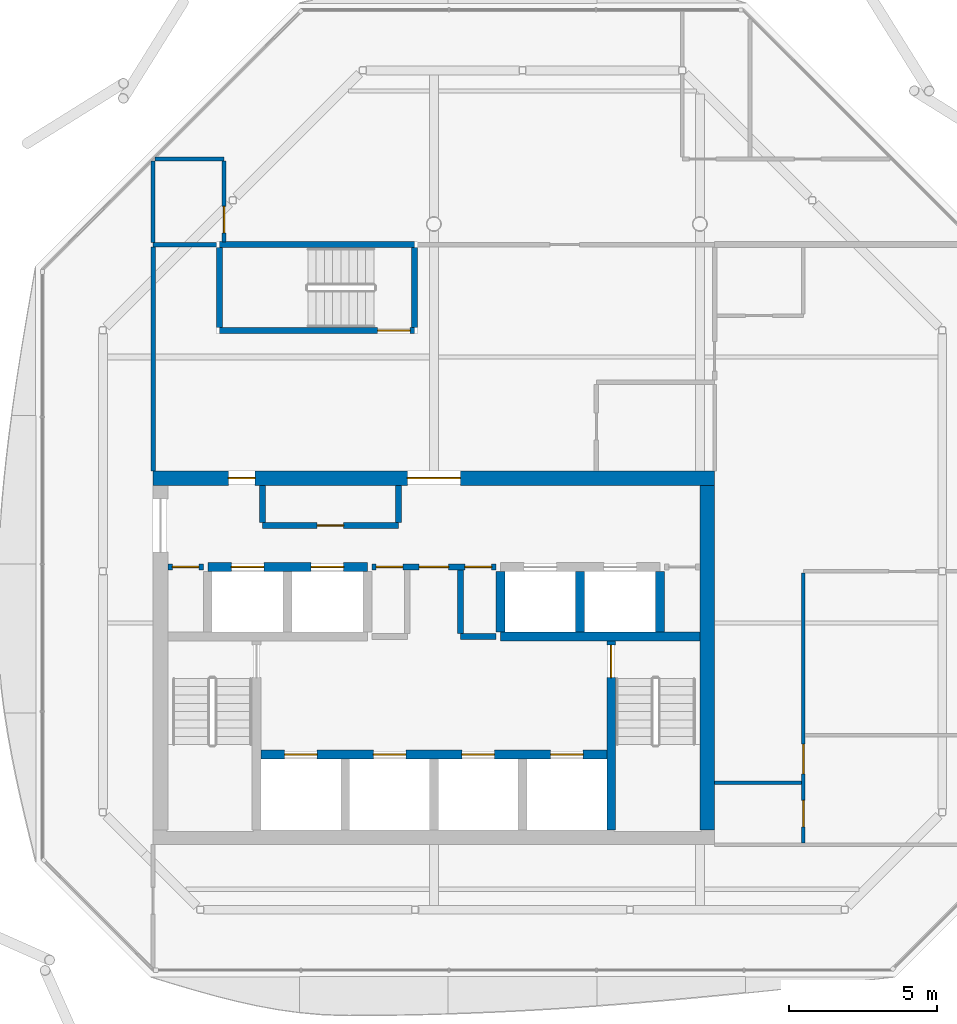
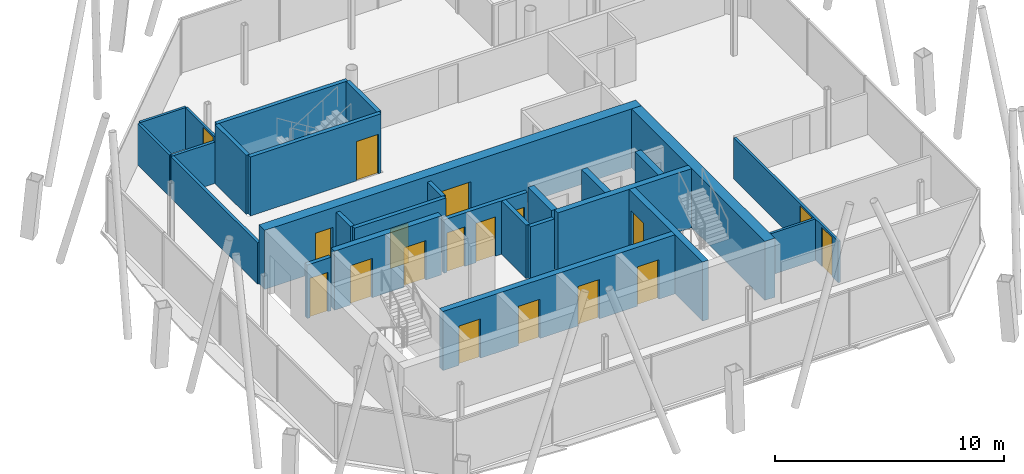
# One storey, part 10 of 14: 27 walls, 18 doors, 18 openings.
"""IFC4 building model written with IfcOpenShell, lengths in metres."""

from ifc_helpers import new_model, si_unit, direction, frame, frame_2d, origin, place, context, subcontext, project, spatial, rectangle, extrude, material, layer, layer_set, type_object, element, fill, save


model = new_model("IFC4")

# Units and contexts
model_context = context("Model", 3, precision=1e-05, world=origin(), true_north=direction((0.0, 1.0)))
body_context = subcontext(model_context, "Body", "Model", "MODEL_VIEW")
ifc_project = project(units=[si_unit("LENGTHUNIT", "METRE"), si_unit("AREAUNIT", "SQUARE_METRE"), si_unit("VOLUMEUNIT", "CUBIC_METRE"), si_unit("PLANEANGLEUNIT", "RADIAN"), si_unit("MASSUNIT", "GRAM", prefix="KILO")], contexts=[model_context])

# Site, building, storey
site_placement = place(None, origin())
site = spatial("IfcSite", under=ifc_project, at=site_placement, CompositionType="ELEMENT")
building_placement = place(site_placement, origin())
building = spatial("IfcBuilding", under=site, at=building_placement, Name="Tskaro Facet Tower", CompositionType="ELEMENT")
storey_placement = place(building_placement, frame((0.0, 0.0, 268.949951171875)))
storey = spatial("IfcBuildingStorey", under=building, at=storey_placement, Name="L71", CompositionType="ELEMENT", Elevation=268.949951171875)

# Wall, openings, doors
ifc_material_1 = material(Name="Concrete C60/75", Category="concrete")
ifc_layer_1 = layer(ifc_material_1, 0.300048828125, Name="Concrete C60/75")
ifc_layer_set_1 = layer_set([ifc_layer_1], Name="Concrete C60/75")
wall_type_1 = type_object("IfcWallType", Name="CORE-SHAFT", PredefinedType="SHEAR", material=ifc_layer_set_1)
wall_1_placement = place(storey_placement, frame((-5.85009765625, -8.949951171875, 0.0), z_axis=(0.0, 0.0, 1.0), x_axis=(1.0, 0.0, 0.0)))
wall_1 = element("IfcWall", 1, at=wall_1_placement, inside=storey, type_object=wall_type_1, Name="Shaft wall W003", PredefinedType="SHEAR", context=body_context, shape_type="SweptSolid", body=[
    extrude(rectangle(XDim=11.7001953125, YDim=0.300048828125, at=frame_2d((5.85009765625, 0.0))), origin(), (0.0, 0.0, 1.0), 3.150146484375),
])
opening_1_placement = place(wall_1_placement, frame((0.800048828125, 0.0, 0.0)))
opening_1 = element("IfcOpeningElement", 2, at=opening_1_placement, cuts=wall_1, Name="Opening LD-FF1", PredefinedType="OPENING", context=body_context, shape_type="SweptSolid", body=[
    extrude(rectangle(XDim=1.10009765625, YDim=2.10009765625, at=frame_2d((0.550048828125, 1.050048828125))), frame((0.0, 0.159912109375, 0.0), z_axis=(0.0, -1.0, 0.0), x_axis=(1.0, 0.0, 0.0)), (0.0, 0.0, 1.0), 0.320068359375),
])
opening_2_placement = place(wall_1_placement, frame((3.800048828125, 0.0, 0.0)))
opening_2 = element("IfcOpeningElement", 3, at=opening_2_placement, cuts=wall_1, Name="Opening LD-FF2", PredefinedType="OPENING", context=body_context, shape_type="SweptSolid", body=[
    extrude(rectangle(XDim=1.10009765625, YDim=2.10009765625, at=frame_2d((0.550048828125, 1.050048828125))), frame((0.0, 0.159912109375, 0.0), z_axis=(0.0, -1.0, 0.0), x_axis=(1.0, 0.0, 0.0)), (0.0, 0.0, 1.0), 0.320068359375),
])
opening_3_placement = place(wall_1_placement, frame((6.800048828125, 0.0, 0.0)))
opening_3 = element("IfcOpeningElement", 4, at=opening_3_placement, cuts=wall_1, Name="Opening LD-SV1", PredefinedType="OPENING", context=body_context, shape_type="SweptSolid", body=[
    extrude(rectangle(XDim=1.10009765625, YDim=2.10009765625, at=frame_2d((0.550048828125, 1.050048828125))), frame((0.0, 0.159912109375, 0.0), z_axis=(0.0, -1.0, 0.0), x_axis=(1.0, 0.0, 0.0)), (0.0, 0.0, 1.0), 0.320068359375),
])
opening_4_placement = place(wall_1_placement, frame((9.800048828125, 0.0, 0.0)))
opening_4 = element("IfcOpeningElement", 5, at=opening_4_placement, cuts=wall_1, Name="Opening LD-SV2", PredefinedType="OPENING", context=body_context, shape_type="SweptSolid", body=[
    extrude(rectangle(XDim=1.10009765625, YDim=2.10009765625, at=frame_2d((0.550048828125, 1.050048828125))), frame((0.0, 0.159912109375, 0.0), z_axis=(0.0, -1.0, 0.0), x_axis=(1.0, 0.0, 0.0)), (0.0, 0.0, 1.0), 0.320068359375),
])
ifc_material_2 = material(Name="Stainless steel", Category="steel")
door_type_1 = type_object("IfcDoorType", Name="D-LANDING", OperationType="NOTDEFINED", PredefinedType="DOOR", material=ifc_material_2)
door_1_placement = place(opening_1_placement, origin())
door_1 = element("IfcDoor", 6, at=door_1_placement, inside=storey, type_object=door_type_1, Name="Landing door FF1", OperationType="DOUBLE_DOOR_SLIDING", OverallHeight=2.10009765625, OverallWidth=1.10009765625, PredefinedType="DOOR", context=body_context, shape_type="SweptSolid", body=[
    extrude(rectangle(XDim=1.10009765625, YDim=2.10009765625, at=frame_2d((0.550048828125, 1.050048828125))), frame((0.0, 0.02490234375, 0.0), z_axis=(0.0, -1.0, 0.0), x_axis=(1.0, 0.0, 0.0)), (0.0, 0.0, 1.0), 0.050048828125),
])
fill(opening_1, door_1)
door_2_placement = place(opening_2_placement, origin())
door_2 = element("IfcDoor", 7, at=door_2_placement, inside=storey, type_object=door_type_1, Name="Landing door FF2", OperationType="DOUBLE_DOOR_SLIDING", OverallHeight=2.10009765625, OverallWidth=1.10009765625, PredefinedType="DOOR", context=body_context, shape_type="SweptSolid", body=[
    extrude(rectangle(XDim=1.10009765625, YDim=2.10009765625, at=frame_2d((0.550048828125, 1.050048828125))), frame((0.0, 0.02490234375, 0.0), z_axis=(0.0, -1.0, 0.0), x_axis=(1.0, 0.0, 0.0)), (0.0, 0.0, 1.0), 0.050048828125),
])
fill(opening_2, door_2)
door_3_placement = place(opening_3_placement, origin())
door_3 = element("IfcDoor", 8, at=door_3_placement, inside=storey, type_object=door_type_1, Name="Landing door SV1", OperationType="DOUBLE_DOOR_SLIDING", OverallHeight=2.10009765625, OverallWidth=1.10009765625, PredefinedType="DOOR", context=body_context, shape_type="SweptSolid", body=[
    extrude(rectangle(XDim=1.10009765625, YDim=2.10009765625, at=frame_2d((0.550048828125, 1.050048828125))), frame((0.0, 0.02490234375, 0.0), z_axis=(0.0, -1.0, 0.0), x_axis=(1.0, 0.0, 0.0)), (0.0, 0.0, 1.0), 0.050048828125),
])
fill(opening_3, door_3)
door_4_placement = place(opening_4_placement, origin())
door_4 = element("IfcDoor", 9, at=door_4_placement, inside=storey, type_object=door_type_1, Name="Landing door SV2", OperationType="DOUBLE_DOOR_SLIDING", OverallHeight=2.10009765625, OverallWidth=1.10009765625, PredefinedType="DOOR", context=body_context, shape_type="SweptSolid", body=[
    extrude(rectangle(XDim=1.10009765625, YDim=2.10009765625, at=frame_2d((0.550048828125, 1.050048828125))), frame((0.0, 0.02490234375, 0.0), z_axis=(0.0, -1.0, 0.0), x_axis=(1.0, 0.0, 0.0)), (0.0, 0.0, 1.0), 0.050048828125),
])
fill(opening_4, door_4)

# Wall
wall_2_placement = place(storey_placement, frame((2.25, -4.949951171875, 0.0), z_axis=(0.0, 0.0, 1.0), x_axis=(1.0, 0.0, 0.0)))
element("IfcWall", 10, at=wall_2_placement, inside=storey, type_object=wall_type_1, Name="Shaft wall W008", PredefinedType="SHEAR", context=body_context, shape_type="SweptSolid", body=[
    extrude(rectangle(XDim=6.75, YDim=0.300048828125, at=frame_2d((3.375, 0.0))), origin(), (0.0, 0.0, 1.0), 3.150146484375),
])

# Wall, openings, doors
wall_3_placement = place(storey_placement, frame((-7.64990234375, -2.60009765625, 0.0), z_axis=(0.0, 0.0, 1.0), x_axis=(1.0, 0.0, 0.0)))
wall_3 = element("IfcWall", 11, at=wall_3_placement, inside=storey, type_object=wall_type_1, Name="Shaft wall W012", PredefinedType="SHEAR", context=body_context, shape_type="SweptSolid", body=[
    extrude(rectangle(XDim=5.39990234375, YDim=0.300048828125, at=frame_2d((2.699951171875, 0.0))), origin(), (0.0, 0.0, 1.0), 3.150146484375),
])
opening_5_placement = place(wall_3_placement, frame((0.800048828125, 0.0, 0.0)))
opening_5 = element("IfcOpeningElement", 12, at=opening_5_placement, cuts=wall_3, Name="Opening LD-HB1", PredefinedType="OPENING", context=body_context, shape_type="SweptSolid", body=[
    extrude(rectangle(XDim=1.10009765625, YDim=2.10009765625, at=frame_2d((0.550048828125, 1.050048828125))), frame((0.0, 0.159912109375, 0.0), z_axis=(0.0, -1.0, 0.0), x_axis=(1.0, 0.0, 0.0)), (0.0, 0.0, 1.0), 0.320068359375),
])
opening_6_placement = place(wall_3_placement, frame((3.5, 0.0, 0.0)))
opening_6 = element("IfcOpeningElement", 13, at=opening_6_placement, cuts=wall_3, Name="Opening LD-HB2", PredefinedType="OPENING", context=body_context, shape_type="SweptSolid", body=[
    extrude(rectangle(XDim=1.10009765625, YDim=2.10009765625, at=frame_2d((0.550048828125, 1.050048828125))), frame((0.0, 0.159912109375, 0.0), z_axis=(0.0, -1.0, 0.0), x_axis=(1.0, 0.0, 0.0)), (0.0, 0.0, 1.0), 0.320068359375),
])
door_5_placement = place(opening_5_placement, origin())
door_5 = element("IfcDoor", 14, at=door_5_placement, inside=storey, type_object=door_type_1, Name="Landing door HB1", OperationType="DOUBLE_DOOR_SLIDING", OverallHeight=2.10009765625, OverallWidth=1.10009765625, PredefinedType="DOOR", context=body_context, shape_type="SweptSolid", body=[
    extrude(rectangle(XDim=1.10009765625, YDim=2.10009765625, at=frame_2d((0.550048828125, 1.050048828125))), frame((0.0, 0.02490234375, 0.0), z_axis=(0.0, -1.0, 0.0), x_axis=(1.0, 0.0, 0.0)), (0.0, 0.0, 1.0), 0.050048828125),
])
fill(opening_5, door_5)
door_6_placement = place(opening_6_placement, origin())
door_6 = element("IfcDoor", 15, at=door_6_placement, inside=storey, type_object=door_type_1, Name="Landing door HB2", OperationType="DOUBLE_DOOR_SLIDING", OverallHeight=2.10009765625, OverallWidth=1.10009765625, PredefinedType="DOOR", context=body_context, shape_type="SweptSolid", body=[
    extrude(rectangle(XDim=1.10009765625, YDim=2.10009765625, at=frame_2d((0.550048828125, 1.050048828125))), frame((0.0, 0.02490234375, 0.0), z_axis=(0.0, -1.0, 0.0), x_axis=(1.0, 0.0, 0.0)), (0.0, 0.0, 1.0), 0.050048828125),
])
fill(opening_6, door_6)

# Walls
for number, where, z_axis, x_axis, name in (
    (16, (2.25, -4.800048828125, 0.0), (0.0, 0.0, 1.0), (0.0, 1.0, 0.0), "Shaft wall W042"),
    (17, (4.949951171875, -4.800048828125, 0.0), (0.0, 0.0, 1.0), (0.0, 1.0, 0.0), "Shaft wall W044"),
):
    element("IfcWall", number, at=place(storey_placement, frame(where, z_axis=z_axis, x_axis=x_axis)), inside=storey, type_object=wall_type_1, Name=name, PredefinedType="SHEAR", context=body_context, shape_type="SweptSolid", body=[
        extrude(rectangle(XDim=2.050048828125, YDim=0.300048828125, at=frame_2d((1.02490234375, 0.0))), origin(), (0.0, 0.0, 1.0), 3.150146484375),
    ])

# Wall, opening, door
wall_4_placement = place(storey_placement, frame((6.0, -5.10009765625, 0.0), z_axis=(0.0, 0.0, 1.0), x_axis=(0.0, -1.0, 0.0)))
wall_4 = element("IfcWall", 18, at=wall_4_placement, inside=storey, type_object=wall_type_1, Name="Shaft wall W046", PredefinedType="SHEAR", context=body_context, shape_type="SweptSolid", body=[
    extrude(rectangle(XDim=6.39990234375, YDim=0.300048828125, at=frame_2d((3.199951171875, 0.0))), origin(), (0.0, 0.0, 1.0), 3.150146484375),
])
opening_7_placement = place(wall_4_placement, frame((0.14990234375, 0.0, 0.0)))
opening_7 = element("IfcOpeningElement", 19, at=opening_7_placement, cuts=wall_4, Name="Opening ST-2-D1", PredefinedType="OPENING", context=body_context, shape_type="SweptSolid", body=[
    extrude(rectangle(XDim=1.10009765625, YDim=2.10009765625, at=frame_2d((0.550048828125, 1.050048828125))), frame((0.0, 0.159912109375, 0.0), z_axis=(0.0, -1.0, 0.0), x_axis=(1.0, 0.0, 0.0)), (0.0, 0.0, 1.0), 0.320068359375),
])
ifc_material_3 = material(Name="Steel", Category="steel")
door_type_2 = type_object("IfcDoorType", Name="D-STAIR", OperationType="NOTDEFINED", PredefinedType="DOOR", material=ifc_material_3)
door_7_placement = place(opening_7_placement, origin())
door_7 = element("IfcDoor", 20, at=door_7_placement, inside=storey, type_object=door_type_2, Name="Stair door 2", OperationType="SINGLE_SWING_RIGHT", OverallHeight=2.10009765625, OverallWidth=1.10009765625, PredefinedType="DOOR", context=body_context, shape_type="SweptSolid", body=[
    extrude(rectangle(XDim=1.10009765625, YDim=2.10009765625, at=frame_2d((0.550048828125, 1.050048828125))), frame((0.0, 0.02490234375, 0.0), z_axis=(0.0, -1.0, 0.0), x_axis=(1.0, 0.0, 0.0)), (0.0, 0.0, 1.0), 0.050048828125),
])
fill(opening_7, door_7)

# Walls
wall_5_placement = place(storey_placement, frame((7.64990234375, -4.800048828125, 0.0), z_axis=(0.0, 0.0, 1.0), x_axis=(0.0, 1.0, 0.0)))
element("IfcWall", 21, at=wall_5_placement, inside=storey, type_object=wall_type_1, Name="Shaft wall W047", PredefinedType="SHEAR", context=body_context, shape_type="SweptSolid", body=[
    extrude(rectangle(XDim=2.050048828125, YDim=0.300048828125, at=frame_2d((1.02490234375, 0.0))), origin(), (0.0, 0.0, 1.0), 3.150146484375),
])
ifc_material_4 = material(Name="Concrete C20/25", Category="concrete")
ifc_layer_2 = layer(ifc_material_4, 0.199951171875, Name="Concrete C20/25")
ifc_layer_set_2 = layer_set([ifc_layer_2], Name="Concrete C20/25")
wall_type_2 = type_object("IfcWallType", Name="CORE-WALL", PredefinedType="SOLIDWALL", material=ifc_layer_set_2)
wall_6_placement = place(storey_placement, frame((0.89990234375, -4.949951171875, 0.0), z_axis=(0.0, 0.0, 1.0), x_axis=(1.0, 0.0, 0.0)))
element("IfcWall", 22, at=wall_6_placement, inside=storey, type_object=wall_type_2, Name="Core room wall W007", PredefinedType="SOLIDWALL", context=body_context, shape_type="SweptSolid", body=[
    extrude(rectangle(XDim=1.2001953125, YDim=0.199951171875, at=frame_2d((0.60009765625, 0.0))), origin(), (0.0, 0.0, 1.0), 2.85009765625),
])

# Wall, opening, door
wall_7_placement = place(storey_placement, frame((-7.800048828125, -2.60009765625, 0.0), z_axis=(0.0, 0.0, 1.0), x_axis=(-1.0, 0.0, 0.0)))
wall_7 = element("IfcWall", 23, at=wall_7_placement, inside=storey, type_object=wall_type_2, Name="Core room wall W011", PredefinedType="SOLIDWALL", context=body_context, shape_type="SweptSolid", body=[
    extrude(rectangle(XDim=1.199951171875, YDim=0.199951171875, at=frame_2d((0.60009765625, 0.0))), origin(), (0.0, 0.0, 1.0), 2.85009765625),
])
opening_8_placement = place(wall_7_placement, frame((0.14990234375, 0.0, 0.0)))
opening_8 = element("IfcOpeningElement", 24, at=opening_8_placement, cuts=wall_7, Name="Opening T21-D05", PredefinedType="OPENING", context=body_context, shape_type="SweptSolid", body=[
    extrude(rectangle(XDim=0.89990234375, YDim=2.10009765625, at=frame_2d((0.449951171875, 1.050048828125))), frame((0.0, 0.10986328125, 0.0), z_axis=(0.0, -1.0, 0.0), x_axis=(1.0, 0.0, 0.0)), (0.0, 0.0, 1.0), 0.219970703125),
])
ifc_material_5 = material(Name="Timber", Category="wood")
door_type_3 = type_object("IfcDoorType", Name="D-ROOM", OperationType="NOTDEFINED", PredefinedType="DOOR", material=ifc_material_5)
door_8_placement = place(opening_8_placement, origin())
door_8 = element("IfcDoor", 25, at=door_8_placement, inside=storey, type_object=door_type_3, Name="Door T21-D05", OperationType="SINGLE_SWING_RIGHT", OverallHeight=2.10009765625, OverallWidth=0.89990234375, PredefinedType="DOOR", context=body_context, shape_type="SweptSolid", body=[
    extrude(rectangle(XDim=0.89990234375, YDim=2.10009765625, at=frame_2d((0.449951171875, 1.050048828125))), frame((0.0, 0.02490234375, 0.0), z_axis=(0.0, -1.0, 0.0), x_axis=(1.0, 0.0, 0.0)), (0.0, 0.0, 1.0), 0.050048828125),
])
fill(opening_8, door_8)

# Wall, openings, doors
wall_8_placement = place(storey_placement, frame((2.10009765625, -2.60009765625, 0.0), z_axis=(0.0, 0.0, 1.0), x_axis=(-1.0, 0.0, 0.0)))
wall_8 = element("IfcWall", 26, at=wall_8_placement, inside=storey, type_object=wall_type_2, Name="Core room wall W013", PredefinedType="SOLIDWALL", context=body_context, shape_type="SweptSolid", body=[
    extrude(rectangle(XDim=4.2001953125, YDim=0.199951171875, at=frame_2d((2.10009765625, 0.0))), origin(), (0.0, 0.0, 1.0), 2.85009765625),
])
opening_9_placement = place(wall_8_placement, frame((1.60009765625, 0.0, 0.0)))
opening_9 = element("IfcOpeningElement", 27, at=opening_9_placement, cuts=wall_8, Name="Opening FL-D1", PredefinedType="OPENING", context=body_context, shape_type="SweptSolid", body=[
    extrude(rectangle(XDim=1.0, YDim=2.10009765625, at=frame_2d((0.5, 1.050048828125))), frame((0.0, 0.10986328125, 0.0), z_axis=(0.0, -1.0, 0.0), x_axis=(1.0, 0.0, 0.0)), (0.0, 0.0, 1.0), 0.219970703125),
])
opening_10_placement = place(wall_8_placement, frame((3.14990234375, 0.0, 0.0)))
opening_10 = element("IfcOpeningElement", 28, at=opening_10_placement, cuts=wall_8, Name="Opening T21-D06", PredefinedType="OPENING", context=body_context, shape_type="SweptSolid", body=[
    extrude(rectangle(XDim=0.89990234375, YDim=2.10009765625, at=frame_2d((0.449951171875, 1.050048828125))), frame((0.0, 0.10986328125, 0.0), z_axis=(0.0, -1.0, 0.0), x_axis=(1.0, 0.0, 0.0)), (0.0, 0.0, 1.0), 0.219970703125),
])
opening_11_placement = place(wall_8_placement, frame((0.14990234375, 0.0, 0.0)))
opening_11 = element("IfcOpeningElement", 29, at=opening_11_placement, cuts=wall_8, Name="Opening T21-D07", PredefinedType="OPENING", context=body_context, shape_type="SweptSolid", body=[
    extrude(rectangle(XDim=0.89990234375, YDim=2.10009765625, at=frame_2d((0.449951171875, 1.050048828125))), frame((0.0, 0.10986328125, 0.0), z_axis=(0.0, -1.0, 0.0), x_axis=(1.0, 0.0, 0.0)), (0.0, 0.0, 1.0), 0.219970703125),
])
door_type_4 = type_object("IfcDoorType", Name="D-LOBBY", OperationType="NOTDEFINED", PredefinedType="DOOR", material=ifc_material_3)
door_9_placement = place(opening_9_placement, origin())
door_9 = element("IfcDoor", 30, at=door_9_placement, inside=storey, type_object=door_type_4, Name="Lobby door FL", OperationType="SINGLE_SWING_RIGHT", OverallHeight=2.10009765625, OverallWidth=1.0, PredefinedType="DOOR", context=body_context, shape_type="SweptSolid", body=[
    extrude(rectangle(XDim=1.0, YDim=2.10009765625, at=frame_2d((0.5, 1.050048828125))), frame((0.0, 0.02490234375, 0.0), z_axis=(0.0, -1.0, 0.0), x_axis=(1.0, 0.0, 0.0)), (0.0, 0.0, 1.0), 0.050048828125),
])
fill(opening_9, door_9)
door_10_placement = place(opening_10_placement, origin())
door_10 = element("IfcDoor", 31, at=door_10_placement, inside=storey, type_object=door_type_3, Name="Door T21-D06", OperationType="SINGLE_SWING_RIGHT", OverallHeight=2.10009765625, OverallWidth=0.89990234375, PredefinedType="DOOR", context=body_context, shape_type="SweptSolid", body=[
    extrude(rectangle(XDim=0.89990234375, YDim=2.10009765625, at=frame_2d((0.449951171875, 1.050048828125))), frame((0.0, 0.02490234375, 0.0), z_axis=(0.0, -1.0, 0.0), x_axis=(1.0, 0.0, 0.0)), (0.0, 0.0, 1.0), 0.050048828125),
])
fill(opening_10, door_10)
door_11_placement = place(opening_11_placement, origin())
door_11 = element("IfcDoor", 32, at=door_11_placement, inside=storey, type_object=door_type_3, Name="Door T21-D07", OperationType="SINGLE_SWING_RIGHT", OverallHeight=2.10009765625, OverallWidth=0.89990234375, PredefinedType="DOOR", context=body_context, shape_type="SweptSolid", body=[
    extrude(rectangle(XDim=0.89990234375, YDim=2.10009765625, at=frame_2d((0.449951171875, 1.050048828125))), frame((0.0, 0.02490234375, 0.0), z_axis=(0.0, -1.0, 0.0), x_axis=(1.0, 0.0, 0.0)), (0.0, 0.0, 1.0), 0.050048828125),
])
fill(opening_11, door_11)

# Wall, opening, door
wall_9_placement = place(storey_placement, frame((-5.800048828125, -1.199951171875, 0.0), z_axis=(0.0, 0.0, 1.0), x_axis=(1.0, 0.0, 0.0)))
wall_9 = element("IfcWall", 33, at=wall_9_placement, inside=storey, type_object=wall_type_2, Name="Core room wall W016", PredefinedType="SOLIDWALL", context=body_context, shape_type="SweptSolid", body=[
    extrude(rectangle(XDim=4.60009765625, YDim=0.199951171875, at=frame_2d((2.300048828125, 0.0))), origin(), (0.0, 0.0, 1.0), 2.85009765625),
])
opening_12_placement = place(wall_9_placement, frame((1.85009765625, 0.0, 0.0)))
opening_12 = element("IfcOpeningElement", 34, at=opening_12_placement, cuts=wall_9, Name="Opening T21-D10", PredefinedType="OPENING", context=body_context, shape_type="SweptSolid", body=[
    extrude(rectangle(XDim=0.89990234375, YDim=2.10009765625, at=frame_2d((0.449951171875, 1.050048828125))), frame((0.0, 0.10986328125, 0.0), z_axis=(0.0, -1.0, 0.0), x_axis=(1.0, 0.0, 0.0)), (0.0, 0.0, 1.0), 0.219970703125),
])
door_12_placement = place(opening_12_placement, origin())
door_12 = element("IfcDoor", 35, at=door_12_placement, inside=storey, type_object=door_type_3, Name="Door T21-D10", OperationType="SINGLE_SWING_LEFT", OverallHeight=2.10009765625, OverallWidth=0.89990234375, PredefinedType="DOOR", context=body_context, shape_type="SweptSolid", body=[
    extrude(rectangle(XDim=0.89990234375, YDim=2.10009765625, at=frame_2d((0.449951171875, 1.050048828125))), frame((0.0, 0.02490234375, 0.0), z_axis=(0.0, -1.0, 0.0), x_axis=(1.0, 0.0, 0.0)), (0.0, 0.0, 1.0), 0.050048828125),
])
fill(opening_12, door_12)

# Walls
for number, where, z_axis, x_axis, name in (
    (36, (-5.800048828125, -1.10009765625, 0.0), (0.0, 0.0, 1.0), (0.0, 1.0, 0.0), "Core room wall W033"),
    (37, (-1.199951171875, -1.10009765625, 0.0), (0.0, 0.0, 1.0), (0.0, 1.0, 0.0), "Core room wall W037"),
):
    element("IfcWall", number, at=place(storey_placement, frame(where, z_axis=z_axis, x_axis=x_axis)), inside=storey, type_object=wall_type_2, Name=name, PredefinedType="SOLIDWALL", context=body_context, shape_type="SweptSolid", body=[
        extrude(rectangle(XDim=1.25, YDim=0.199951171875, at=frame_2d((0.625, 0.0))), origin(), (0.0, 0.0, 1.0), 2.85009765625),
    ])
wall_10_placement = place(storey_placement, frame((0.89990234375, -4.85009765625, 0.0), z_axis=(0.0, 0.0, 1.0), x_axis=(0.0, 1.0, 0.0)))
element("IfcWall", 38, at=wall_10_placement, inside=storey, type_object=wall_type_2, Name="Core room wall W041", PredefinedType="SOLIDWALL", context=body_context, shape_type="SweptSolid", body=[
    extrude(rectangle(XDim=2.150146484375, YDim=0.199951171875, at=frame_2d((1.0751953125, 0.0))), origin(), (0.0, 0.0, 1.0), 2.85009765625),
])

# Wall, openings, doors
ifc_material_6 = material(Name="Concrete C40/50", Category="concrete")
ifc_layer_3 = layer(ifc_material_6, 0.5, Name="Concrete C40/50")
ifc_layer_set_3 = layer_set([ifc_layer_3], Name="Concrete C40/50")
wall_type_3 = type_object("IfcWallType", Name="Core wall 500", PredefinedType="SHEAR", material=ifc_layer_set_3)
wall_11_placement = place(storey_placement, frame((-9.5, 0.39990234375, 0.0), z_axis=(0.0, 0.0, 1.0), x_axis=(1.0, 0.0, 0.0)))
wall_11 = element("IfcWall", 39, at=wall_11_placement, inside=storey, type_object=wall_type_3, Name="Core wall CW-Z3N", PredefinedType="SHEAR", context=body_context, shape_type="SweptSolid", body=[
    extrude(rectangle(XDim=19.0, YDim=0.5, at=frame_2d((9.5, 0.0))), origin(), (0.0, 0.0, 1.0), 3.150146484375),
])
opening_13_placement = place(wall_11_placement, frame((8.60009765625, 0.0, 0.0)))
opening_13 = element("IfcOpeningElement", 40, at=opening_13_placement, cuts=wall_11, Name="Opening T21-D12", PredefinedType="OPENING", context=body_context, shape_type="SweptSolid", body=[
    extrude(rectangle(XDim=1.800048828125, YDim=2.10009765625, at=frame_2d((0.89990234375, 1.050048828125))), frame((0.0, 0.260009765625, 0.0), z_axis=(0.0, -1.0, 0.0), x_axis=(1.0, 0.0, 0.0)), (0.0, 0.0, 1.0), 0.52001953125),
])
opening_14_placement = place(wall_11_placement, frame((2.550048828125, 0.0, 0.0)))
opening_14 = element("IfcOpeningElement", 41, at=opening_14_placement, cuts=wall_11, Name="Opening T21-D11", PredefinedType="OPENING", context=body_context, shape_type="SweptSolid", body=[
    extrude(rectangle(XDim=0.89990234375, YDim=2.10009765625, at=frame_2d((0.449951171875, 1.050048828125))), frame((0.0, 0.260009765625, 0.0), z_axis=(0.0, -1.0, 0.0), x_axis=(1.0, 0.0, 0.0)), (0.0, 0.0, 1.0), 0.52001953125),
])
door_type_5 = type_object("IfcDoorType", Name="D-CORE-PAIR", OperationType="NOTDEFINED", PredefinedType="DOOR", material=ifc_material_3)
door_13_placement = place(opening_13_placement, origin())
door_13 = element("IfcDoor", 42, at=door_13_placement, inside=storey, type_object=door_type_5, Name="Door T21-D12", OperationType="DOUBLE_DOOR_SINGLE_SWING", OverallHeight=2.10009765625, OverallWidth=1.800048828125, PredefinedType="DOOR", context=body_context, shape_type="SweptSolid", body=[
    extrude(rectangle(XDim=1.800048828125, YDim=2.10009765625, at=frame_2d((0.89990234375, 1.050048828125))), frame((0.0, 0.02490234375, 0.0), z_axis=(0.0, -1.0, 0.0), x_axis=(1.0, 0.0, 0.0)), (0.0, 0.0, 1.0), 0.050048828125),
])
fill(opening_13, door_13)
door_14_placement = place(opening_14_placement, origin())
door_14 = element("IfcDoor", 43, at=door_14_placement, inside=storey, type_object=door_type_3, Name="Door T21-D11", OperationType="SINGLE_SWING_LEFT", OverallHeight=2.10009765625, OverallWidth=0.89990234375, PredefinedType="DOOR", context=body_context, shape_type="SweptSolid", body=[
    extrude(rectangle(XDim=0.89990234375, YDim=2.10009765625, at=frame_2d((0.449951171875, 1.050048828125))), frame((0.0, 0.02490234375, 0.0), z_axis=(0.0, -1.0, 0.0), x_axis=(1.0, 0.0, 0.0)), (0.0, 0.0, 1.0), 0.050048828125),
])
fill(opening_14, door_14)

# Walls
wall_12_placement = place(storey_placement, frame((9.25, -11.5, 0.0), z_axis=(0.0, 0.0, 1.0), x_axis=(0.0, 1.0, 0.0)))
element("IfcWall", 44, at=wall_12_placement, inside=storey, type_object=wall_type_3, Name="Core wall CW-Z3E", PredefinedType="SHEAR", context=body_context, shape_type="SweptSolid", body=[
    extrude(rectangle(XDim=11.64990234375, YDim=0.5, at=frame_2d((5.824951171875, 0.0))), origin(), (0.0, 0.0, 1.0), 3.150146484375),
])
ifc_material_7 = material(Name="Gypsum board on steel studs", Category="steel")
ifc_layer_4 = layer(ifc_material_7, 0.125, Name="Gypsum board on steel studs")
ifc_layer_set_4 = layer_set([ifc_layer_4], Name="Gypsum board on steel studs")
wall_type_4 = type_object("IfcWallType", Name="PART", PredefinedType="PARTITIONING", material=ifc_layer_set_4)
wall_13_placement = place(storey_placement, frame((9.5, -9.89990234375, 0.0), z_axis=(0.0, 0.0, 1.0), x_axis=(1.0, 0.0, 0.0)))
element("IfcWall", 45, at=wall_13_placement, inside=storey, type_object=wall_type_4, Name="Partition W002", PredefinedType="PARTITIONING", context=body_context, shape_type="SweptSolid", body=[
    extrude(rectangle(XDim=2.9375, YDim=0.125, at=frame_2d((1.46875, 0.0))), origin(), (0.0, 0.0, 1.0), 2.2099609375),
])
wall_14_placement = place(storey_placement, frame((-9.43310546875, 11.199951171875, 0.0), z_axis=(0.0, 0.0, 1.0), x_axis=(1.0, 0.0, 0.0)))
element("IfcWall", 46, at=wall_14_placement, inside=storey, type_object=wall_type_4, Name="Partition W024", PredefinedType="PARTITIONING", context=body_context, shape_type="SweptSolid", body=[
    extrude(rectangle(XDim=2.3330078125, YDim=0.125, at=frame_2d((1.16650390625, 0.0))), origin(), (0.0, 0.0, 1.0), 2.2099609375),
])
wall_15_placement = place(storey_placement, frame((-9.5, 8.375, 0.0), z_axis=(0.0, 0.0, 1.0), x_axis=(0.0, 1.0, 0.0)))
element("IfcWall", 47, at=wall_15_placement, inside=storey, type_object=wall_type_4, Name="Partition W028", PredefinedType="PARTITIONING", context=body_context, shape_type="SweptSolid", body=[
    extrude(rectangle(XDim=2.758056640625, YDim=0.125, at=frame_2d((1.37890625, 0.0))), origin(), (0.0, 0.0, 1.0), 2.2099609375),
])

# Wall, opening, door
wall_16_placement = place(storey_placement, frame((-7.10009765625, 8.39990234375, 0.0), z_axis=(0.0, 0.0, 1.0), x_axis=(0.0, 1.0, 0.0)))
wall_16 = element("IfcWall", 48, at=wall_16_placement, inside=storey, type_object=wall_type_4, Name="Partition W031", PredefinedType="PARTITIONING", context=body_context, shape_type="SweptSolid", body=[
    extrude(rectangle(XDim=2.737548828125, YDim=0.125, at=frame_2d((1.36865234375, 0.0))), origin(), (0.0, 0.0, 1.0), 2.2099609375),
])
opening_15_placement = place(wall_16_placement, frame((0.300048828125, 0.0, 0.0)))
opening_15 = element("IfcOpeningElement", 49, at=opening_15_placement, cuts=wall_16, Name="Opening T21-D17", PredefinedType="OPENING", context=body_context, shape_type="SweptSolid", body=[
    extrude(rectangle(XDim=0.89990234375, YDim=2.10009765625, at=frame_2d((0.449951171875, 1.050048828125))), frame((0.0, 0.072509765625, 0.0), z_axis=(0.0, -1.0, 0.0), x_axis=(1.0, 0.0, 0.0)), (0.0, 0.0, 1.0), 0.14501953125),
])
door_15_placement = place(opening_15_placement, origin())
door_15 = element("IfcDoor", 50, at=door_15_placement, inside=storey, type_object=door_type_3, Name="Door T21-D17", OperationType="SINGLE_SWING_LEFT", OverallHeight=2.10009765625, OverallWidth=0.89990234375, PredefinedType="DOOR", context=body_context, shape_type="SweptSolid", body=[
    extrude(rectangle(XDim=0.89990234375, YDim=2.10009765625, at=frame_2d((0.449951171875, 1.050048828125))), frame((0.0, 0.02490234375, 0.0), z_axis=(0.0, -1.0, 0.0), x_axis=(1.0, 0.0, 0.0)), (0.0, 0.0, 1.0), 0.050048828125),
])
fill(opening_15, door_15)

# Wall, openings, doors
wall_17_placement = place(storey_placement, frame((12.5, -2.8125, 0.0), z_axis=(0.0, 0.0, 1.0), x_axis=(0.0, -1.0, 0.0)))
wall_17 = element("IfcWall", 51, at=wall_17_placement, inside=storey, type_object=wall_type_4, Name="Partition W053", PredefinedType="PARTITIONING", context=body_context, shape_type="SweptSolid", body=[
    extrude(rectangle(XDim=9.125, YDim=0.125, at=frame_2d((4.5625, 0.0))), origin(), (0.0, 0.0, 1.0), 2.2099609375),
])
opening_16_placement = place(wall_17_placement, frame((5.78759765625, 0.0, 0.0)))
opening_16 = element("IfcOpeningElement", 52, at=opening_16_placement, cuts=wall_17, Name="Opening T21-D03", PredefinedType="OPENING", context=body_context, shape_type="SweptSolid", body=[
    extrude(rectangle(XDim=1.0, YDim=2.10009765625, at=frame_2d((0.5, 1.050048828125))), frame((0.0, 0.072509765625, 0.0), z_axis=(0.0, -1.0, 0.0), x_axis=(1.0, 0.0, 0.0)), (0.0, 0.0, 1.0), 0.14501953125),
])
opening_17_placement = place(wall_17_placement, frame((7.6875, 0.0, 0.0)))
opening_17 = element("IfcOpeningElement", 53, at=opening_17_placement, cuts=wall_17, Name="Opening T21-D02", PredefinedType="OPENING", context=body_context, shape_type="SweptSolid", body=[
    extrude(rectangle(XDim=0.89990234375, YDim=2.10009765625, at=frame_2d((0.449951171875, 1.050048828125))), frame((0.0, 0.072509765625, 0.0), z_axis=(0.0, -1.0, 0.0), x_axis=(1.0, 0.0, 0.0)), (0.0, 0.0, 1.0), 0.14501953125),
])
door_16_placement = place(opening_17_placement, origin())
door_16 = element("IfcDoor", 54, at=door_16_placement, inside=storey, type_object=door_type_3, Name="Door T21-D02", OperationType="SINGLE_SWING_LEFT", OverallHeight=2.10009765625, OverallWidth=0.89990234375, PredefinedType="DOOR", context=body_context, shape_type="SweptSolid", body=[
    extrude(rectangle(XDim=0.89990234375, YDim=2.10009765625, at=frame_2d((0.449951171875, 1.050048828125))), frame((0.0, 0.02490234375, 0.0), z_axis=(0.0, -1.0, 0.0), x_axis=(1.0, 0.0, 0.0)), (0.0, 0.0, 1.0), 0.050048828125),
])
fill(opening_17, door_16)
door_type_6 = type_object("IfcDoorType", Name="D-ROOM-WIDE", OperationType="NOTDEFINED", PredefinedType="DOOR", material=ifc_material_5)
door_17_placement = place(opening_16_placement, origin())
door_17 = element("IfcDoor", 55, at=door_17_placement, inside=storey, type_object=door_type_6, Name="Door T21-D03", OperationType="SINGLE_SWING_RIGHT", OverallHeight=2.10009765625, OverallWidth=1.0, PredefinedType="DOOR", context=body_context, shape_type="SweptSolid", body=[
    extrude(rectangle(XDim=1.0, YDim=2.10009765625, at=frame_2d((0.5, 1.050048828125))), frame((0.0, 0.02490234375, 0.0), z_axis=(0.0, -1.0, 0.0), x_axis=(1.0, 0.0, 0.0)), (0.0, 0.0, 1.0), 0.050048828125),
])
fill(opening_16, door_17)

# Walls
ifc_layer_5 = layer(ifc_material_7, 0.14990234375, Name="Gypsum board on steel studs")
ifc_layer_set_5 = layer_set([ifc_layer_5], Name="Gypsum board on steel studs")
wall_type_5 = type_object("IfcWallType", Name="PART-CORR", PredefinedType="PARTITIONING", material=ifc_layer_set_5)
wall_18_placement = place(storey_placement, frame((-9.5, 8.300048828125, 0.0), z_axis=(0.0, 0.0, 1.0), x_axis=(1.0, 0.0, 0.0)))
element("IfcWall", 56, at=wall_18_placement, inside=storey, type_object=wall_type_5, Name="Corridor wall W020", PredefinedType="PARTITIONING", context=body_context, shape_type="SweptSolid", body=[
    extrude(rectangle(XDim=2.14990234375, YDim=0.14990234375, at=frame_2d((1.074951171875, 0.0))), origin(), (0.0, 0.0, 1.0), 2.2099609375),
])
wall_19_placement = place(storey_placement, frame((-9.5, 0.64990234375, 0.0), z_axis=(0.0, 0.0, 1.0), x_axis=(0.0, 1.0, 0.0)))
element("IfcWall", 57, at=wall_19_placement, inside=storey, type_object=wall_type_5, Name="Corridor wall W027", PredefinedType="PARTITIONING", context=body_context, shape_type="SweptSolid", body=[
    extrude(rectangle(XDim=7.5751953125, YDim=0.14990234375, at=frame_2d((3.78759765625, 0.0))), origin(), (0.0, 0.0, 1.0), 2.2099609375),
])

# Wall, opening, door
ifc_layer_6 = layer(ifc_material_1, 0.199951171875, Name="Concrete C60/75")
ifc_layer_set_6 = layer_set([ifc_layer_6], Name="Concrete C60/75")
wall_type_6 = type_object("IfcWallType", Name="STAIR-WALL", PredefinedType="SHEAR", material=ifc_layer_set_6)
wall_20_placement = place(storey_placement, frame((-7.25, 5.39990234375, 0.0), z_axis=(0.0, 0.0, 1.0), x_axis=(1.0, 0.0, 0.0)))
wall_20 = element("IfcWall", 58, at=wall_20_placement, inside=storey, type_object=wall_type_6, Name="Stair wall W018", PredefinedType="SHEAR", context=body_context, shape_type="SweptSolid", body=[
    extrude(rectangle(XDim=6.60009765625, YDim=0.199951171875, at=frame_2d((3.300048828125, 0.0))), origin(), (0.0, 0.0, 1.0), 3.150146484375),
])
opening_18_placement = place(wall_20_placement, frame((5.35009765625, 0.0, 0.0)))
opening_18 = element("IfcOpeningElement", 59, at=opening_18_placement, cuts=wall_20, Name="Opening ST-3-D1", PredefinedType="OPENING", context=body_context, shape_type="SweptSolid", body=[
    extrude(rectangle(XDim=1.10009765625, YDim=2.10009765625, at=frame_2d((0.550048828125, 1.050048828125))), frame((0.0, 0.10986328125, 0.0), z_axis=(0.0, -1.0, 0.0), x_axis=(1.0, 0.0, 0.0)), (0.0, 0.0, 1.0), 0.219970703125),
])
door_18_placement = place(opening_18_placement, origin())
door_18 = element("IfcDoor", 60, at=door_18_placement, inside=storey, type_object=door_type_2, Name="Stair door 3", OperationType="SINGLE_SWING_LEFT", OverallHeight=2.10009765625, OverallWidth=1.10009765625, PredefinedType="DOOR", context=body_context, shape_type="SweptSolid", body=[
    extrude(rectangle(XDim=1.10009765625, YDim=2.10009765625, at=frame_2d((0.550048828125, 1.050048828125))), frame((0.0, 0.02490234375, 0.0), z_axis=(0.0, -1.0, 0.0), x_axis=(1.0, 0.0, 0.0)), (0.0, 0.0, 1.0), 0.050048828125),
])
fill(opening_18, door_18)

# Walls
wall_21_placement = place(storey_placement, frame((-7.25, 8.300048828125, 0.0), z_axis=(0.0, 0.0, 1.0), x_axis=(1.0, 0.0, 0.0)))
element("IfcWall", 61, at=wall_21_placement, inside=storey, type_object=wall_type_6, Name="Stair wall W021", PredefinedType="SHEAR", context=body_context, shape_type="SweptSolid", body=[
    extrude(rectangle(XDim=6.60009765625, YDim=0.199951171875, at=frame_2d((3.300048828125, 0.0))), origin(), (0.0, 0.0, 1.0), 3.150146484375),
])
for number, where, z_axis, x_axis, name in (
    (62, (-7.25, 5.5, 0.0), (0.0, 0.0, 1.0), (0.0, 1.0, 0.0), "Stair wall W030"),
    (63, (-0.64990234375, 5.5, 0.0), (0.0, 0.0, 1.0), (0.0, 1.0, 0.0), "Stair wall W039"),
):
    element("IfcWall", number, at=place(storey_placement, frame(where, z_axis=z_axis, x_axis=x_axis)), inside=storey, type_object=wall_type_6, Name=name, PredefinedType="SHEAR", context=body_context, shape_type="SweptSolid", body=[
        extrude(rectangle(XDim=2.699951171875, YDim=0.199951171875, at=frame_2d((1.35009765625, 0.0))), origin(), (0.0, 0.0, 1.0), 3.150146484375),
    ])

save(model, "model.ifc")
